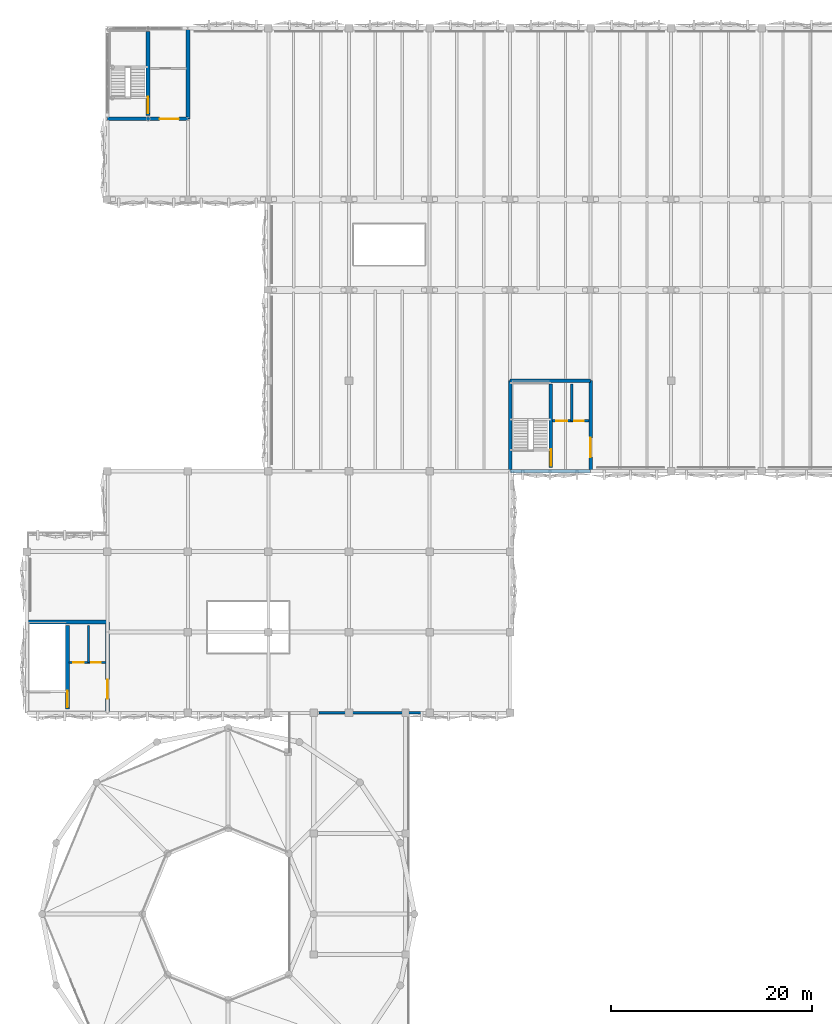
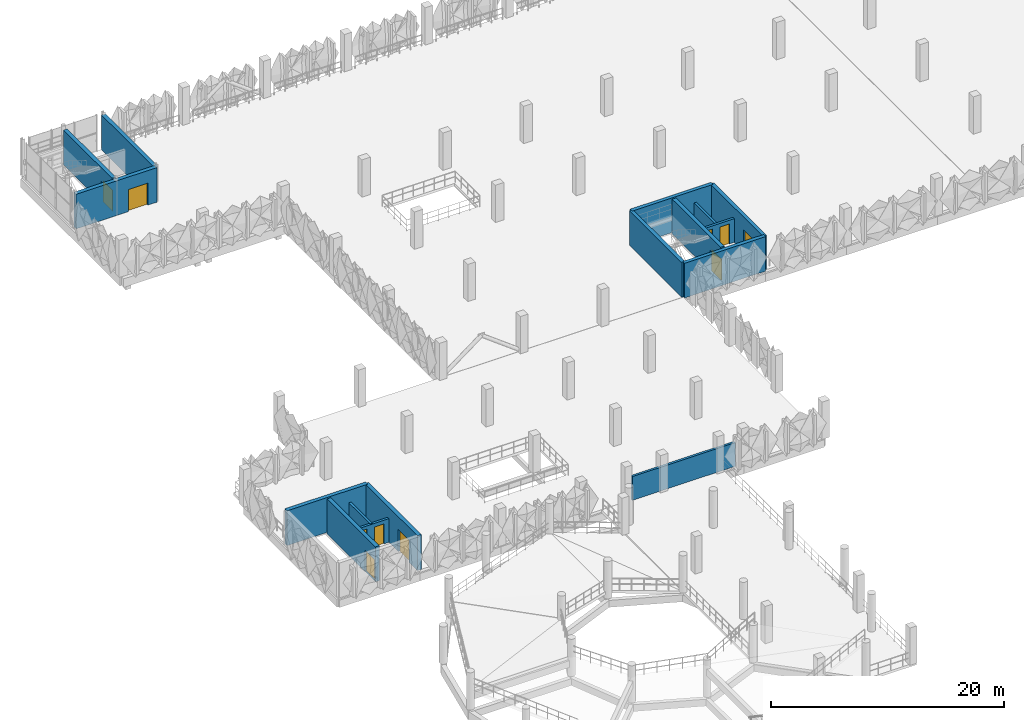
# One storey, part 40 of 83: 16 walls, 10 doors, 10 openings.
"""IFC4 building model written with IfcOpenShell, lengths in metres."""

import ifcopenshell
import ifcopenshell.guid

model = None  # the IFC model being written
_history = None  # IfcOwnerHistory: only IFC2X3 demands one
_inside = {}  # id of a spatial element -> (the spatial element, [elements in it])
_under = {}  # id of a project, library or spatial element -> (it, [spatial elements below it])
_declared = {}  # id of a project -> (the project, [libraries it declares])
_typed = {}  # id of a type object -> (the type object, [elements of that type])
_made_of = {}  # id of a material, layer set ... -> (it, [elements and type objects made of it])


def new_model(schema):
    """Start an empty IFC model of exactly this schema.

    Asked for "IFC4X3", IfcOpenShell would pick the latest addendum, in which some entities
    have other attributes; the version numbers below select the first issue.
    IFC2X3 requires an IfcOwnerHistory on every rooted entity: one is made here for all.
    """
    global model, _history
    if schema == "IFC4X3":
        model = ifcopenshell.file(schema_version=(4, 3, 0, 0))
    else:
        model = ifcopenshell.file(schema=schema)
    _inside.clear()
    _under.clear()
    _declared.clear()
    _typed.clear()
    _made_of.clear()
    _history = None
    if model.schema == "IFC2X3":
        org = make("IfcOrganization", Name="unknown")
        user = make(
            "IfcPersonAndOrganization",
            ThePerson=make("IfcPerson", FamilyName="unknown"),
            TheOrganization=org,
        )
        app = make(
            "IfcApplication",
            ApplicationDeveloper=org,
            Version="unknown",
            ApplicationFullName="unknown",
            ApplicationIdentifier="unknown",
        )
        _history = make(
            "IfcOwnerHistory",
            OwningUser=user,
            OwningApplication=app,
            ChangeAction="ADDED",
            CreationDate=0,
        )
    return model


def make(cls, **values):
    """One entity of the class cls with the attributes given. An attribute that is None is left unset."""
    return model.create_entity(
        cls, **{name: value for name, value in values.items() if value is not None}
    )


def rooted(cls, **values):
    """An entity with a GlobalId (a new one), such as an element, a storey or a relation."""
    return make(cls, GlobalId=ifcopenshell.guid.new(), OwnerHistory=_history, **values)


def si_unit(unit_type, name, prefix=None):
    """IfcSIUnit, for example si_unit("LENGTHUNIT", "METRE", prefix="MILLI")."""
    return make("IfcSIUnit", UnitType=unit_type, Prefix=prefix, Name=name)


def derived_unit(unit_type, elements):
    """IfcDerivedUnit: a product of units, each with its exponent."""
    return make(
        "IfcDerivedUnit",
        Elements=[
            make("IfcDerivedUnitElement", Unit=unit, Exponent=power)
            for unit, power in elements
        ],
        UnitType=unit_type,
    )


def assignment(units):
    """IfcUnitAssignment: the units of a project."""
    return None if units is None else make("IfcUnitAssignment", Units=units)


def point(xyz):
    """IfcCartesianPoint."""
    return None if xyz is None else make("IfcCartesianPoint", Coordinates=xyz)


def direction(xyz):
    """IfcDirection."""
    return None if xyz is None else make("IfcDirection", DirectionRatios=xyz)


def frame(location, z_axis=None, x_axis=None):
    """IfcAxis2Placement3D, a coordinate frame: its origin and axes. An axis left out is left unset."""
    return make(
        "IfcAxis2Placement3D",
        Location=point(location),
        Axis=direction(z_axis),
        RefDirection=direction(x_axis),
    )


def frame_2d(location, x_axis=None):
    """IfcAxis2Placement2D, a coordinate frame in the plane: its origin and x axis."""
    return make(
        "IfcAxis2Placement2D", Location=point(location), RefDirection=direction(x_axis)
    )


def origin():
    """The frame at (0, 0, 0) with its axes left unset."""
    return frame((0.0, 0.0, 0.0))


def place(relative_to, where):
    """IfcLocalPlacement: puts the frame where relative to a parent placement (None: the world)."""
    return make(
        "IfcLocalPlacement", PlacementRelTo=relative_to, RelativePlacement=where
    )


def context(
    kind, dimensions, precision=None, world=None, true_north=None, identifier=None
):
    """IfcGeometricRepresentationContext, for example the 3D "Model" context."""
    return make(
        "IfcGeometricRepresentationContext",
        ContextIdentifier=identifier,
        ContextType=kind,
        CoordinateSpaceDimension=dimensions,
        Precision=precision,
        WorldCoordinateSystem=world,
        TrueNorth=true_north,
    )


def subcontext(parent, identifier, kind, view, scale=None):
    """IfcGeometricRepresentationSubContext, for example "Body" below "Model"."""
    return make(
        "IfcGeometricRepresentationSubContext",
        ContextIdentifier=identifier,
        ContextType=kind,
        ParentContext=parent,
        TargetScale=scale,
        TargetView=view,
    )


def project(units=None, contexts=None):
    """IfcProject with its units and contexts."""
    return rooted(
        "IfcProject",
        Name="project",
        RepresentationContexts=contexts,
        UnitsInContext=assignment(units),
    )


def spatial(cls, under=None, at=None, **own):
    """A site, building, storey or space (cls), placed at a placement, below another one or the project."""
    s = rooted(cls, ObjectPlacement=at, **own)
    if under is not None:
        _under.setdefault(under.id(), (under, []))[1].append(s)
    return s


def profile(cls, at=None, kind="AREA", **sizes):
    """A parametric profile (cls). Its sizes go by their IFC names, for example OverallWidth=200.0."""
    return make(cls, ProfileType=kind, Position=at, **sizes)


def rectangle(**sizes):
    """IfcRectangleProfileDef."""
    return profile("IfcRectangleProfileDef", **sizes)


def extrude(swept, where, along, depth):
    """IfcExtrudedAreaSolid: the profile swept, set in the frame where, extruded along a direction by depth."""
    return make(
        "IfcExtrudedAreaSolid",
        SweptArea=swept,
        Position=where,
        ExtrudedDirection=direction(along),
        Depth=depth,
    )


def shape(context_of_items, identifier, shape_type, items):
    """IfcShapeRepresentation: the items that make up one representation, for example the "Body"."""
    return make(
        "IfcShapeRepresentation",
        ContextOfItems=context_of_items,
        RepresentationIdentifier=identifier,
        RepresentationType=shape_type,
        Items=items,
    )


def material(Name=None, Category=None):
    """IfcMaterial."""
    return make("IfcMaterial", Name=Name, Category=Category)


def layer(
    of_material, thickness, ventilated=None, Name=None, Category=None, Priority=None
):
    """IfcMaterialLayer: one layer of a wall or slab, of a material (None: an air gap)."""
    return make(
        "IfcMaterialLayer",
        Material=of_material,
        LayerThickness=thickness,
        IsVentilated=ventilated,
        Name=Name,
        Category=Category,
        Priority=Priority,
    )


def layer_set(layers, Name=None):
    """IfcMaterialLayerSet."""
    return make("IfcMaterialLayerSet", MaterialLayers=layers, LayerSetName=Name)


def made_of(thing, what):
    """Note that an element or type object is made of a material, layer set ...; save() writes the relation."""
    if what is not None:
        _made_of.setdefault(what.id(), (what, []))[1].append(thing)
    return thing


def type_object(cls, material=None, **own):
    """A type object (cls), such as IfcWallType, which elements share."""
    return made_of(rooted(cls, **own), material)


def element(
    cls,
    number,
    at=None,
    inside=None,
    cuts=None,
    type_object=None,
    material=None,
    context=None,
    identifier="Body",
    shape_type=None,
    held_by="IfcProductDefinitionShape",
    body=None,
    shapes=None,
    **own,
):
    """One element of the class cls, such as IfcWall. Its Tag is "e" and its number.

    at: its placement. inside: the storey or other place that contains it. cuts: it is an
    opening in that element (IfcRelVoidsElement). A single representation is given by context,
    identifier, shape_type and body (its items); several are given by shapes. held_by: the class
    of the entity that holds the representations. save() writes the other relations.
    """
    e = rooted(cls, Tag="e%d" % number, ObjectPlacement=at, **own)
    if body is not None:
        shapes = [shape(context, identifier, shape_type, body)]
    if shapes is not None:
        e.Representation = make(held_by, Representations=shapes)
    if inside is not None:
        _inside.setdefault(inside.id(), (inside, []))[1].append(e)
    if cuts is not None:
        rooted(
            "IfcRelVoidsElement", RelatingBuildingElement=cuts, RelatedOpeningElement=e
        )
    if type_object is not None:
        _typed.setdefault(type_object.id(), (type_object, []))[1].append(e)
    return made_of(e, material)


def fill(opening, filler):
    """IfcRelFillsElement: the door or window that sits in an opening."""
    return rooted(
        "IfcRelFillsElement",
        RelatingOpeningElement=opening,
        RelatedBuildingElement=filler,
    )


def aggregate(whole, parts):
    """IfcRelAggregates: a whole, such as a stair, and the parts it consists of."""
    return rooted("IfcRelAggregates", RelatingObject=whole, RelatedObjects=parts)


def save(model, path):
    """Write the relations noted so far, then the file.

    IfcRelAggregates (storeys below a building ...), IfcRelContainedInSpatialStructure (elements
    in a storey), IfcRelDefinesByType, IfcRelAssociatesMaterial and IfcRelDeclares: one each for
    every whole, place, type object, material and project.
    """
    for whole, parts in _under.values():
        aggregate(whole, parts)
    for where, things in _inside.values():
        rooted(
            "IfcRelContainedInSpatialStructure",
            RelatedElements=things,
            RelatingStructure=where,
        )
    for kind, things in _typed.values():
        rooted("IfcRelDefinesByType", RelatedObjects=things, RelatingType=kind)
    for what, things in _made_of.values():
        rooted("IfcRelAssociatesMaterial", RelatedObjects=things, RelatingMaterial=what)
    for by, libraries in _declared.values():
        rooted("IfcRelDeclares", RelatingContext=by, RelatedDefinitions=libraries)
    model.write(path)


model = new_model("IFC4")

# Units and contexts
model_context = context("Model", 3, precision=1e-05, world=origin(), true_north=direction((0.0, 1.0)))
body_context = subcontext(model_context, "Body", "Model", "MODEL_VIEW")
ifc_project = project(units=[si_unit("LENGTHUNIT", "METRE"), si_unit("AREAUNIT", "SQUARE_METRE"), si_unit("VOLUMEUNIT", "CUBIC_METRE"), si_unit("PLANEANGLEUNIT", "RADIAN"), si_unit("MASSUNIT", "GRAM", prefix="KILO"), si_unit("THERMODYNAMICTEMPERATUREUNIT", "KELVIN"), derived_unit("THERMALTRANSMITTANCEUNIT", [(si_unit("POWERUNIT", "WATT"), 1), (si_unit("AREAUNIT", "SQUARE_METRE"), -1), (si_unit("THERMODYNAMICTEMPERATUREUNIT", "KELVIN"), -1)])], contexts=[model_context])

# Site, building, storey
site_placement = place(None, origin())
site = spatial("IfcSite", under=ifc_project, at=site_placement, CompositionType="ELEMENT")
building_placement = place(site_placement, origin())
building = spatial("IfcBuilding", under=site, at=building_placement, Name="Haiyu Intermodal Mobility Hub", CompositionType="ELEMENT")
storey_placement = place(building_placement, frame((0.0, 0.0, 13.39990234375)))
storey = spatial("IfcBuildingStorey", under=building, at=storey_placement, Name="L03", CompositionType="ELEMENT", Elevation=13.39990234375)

# Wall
ifc_material_1 = material(Name="Autoclaved aerated concrete block A5.0", Category="concrete")
ifc_layer_1 = layer(ifc_material_1, 0.22998046875)
ifc_layer_set_1 = layer_set([ifc_layer_1], Name="Autoclaved aerated concrete block A5.0")
wall_type_1 = type_object("IfcWallType", Name="WAL-WI01", PredefinedType="PARTITIONING", material=ifc_layer_set_1)
wall_1_placement = place(storey_placement, frame((68.1298828125, 109.0, 0.0), z_axis=(0.0, 0.0, 1.0), x_axis=(0.0, 1.0, 0.0)))
element("IfcWall", 1, at=wall_1_placement, inside=storey, type_object=wall_type_1, Name="WAL-CORE-C5-LSH-L03", PredefinedType="PARTITIONING", context=body_context, shape_type="SweptSolid", body=[
    extrude(rectangle(XDim=3.64990234375, YDim=0.22998046875, at=frame_2d((1.824951171875, 0.0))), origin(), (0.0, 0.0, 1.0), 2.47998046875),
])

# Wall, openings, doors
wall_2_placement = place(storey_placement, frame((66.2099609375, 109.0, 0.0), z_axis=(0.0, 0.0, 1.0), x_axis=(1.0, 0.0, 0.0)))
wall_2 = element("IfcWall", 2, at=wall_2_placement, inside=storey, type_object=wall_type_1, Name="WAL-CORE-C5-LFT-L03", PredefinedType="PARTITIONING", context=body_context, shape_type="SweptSolid", body=[
    extrude(rectangle(XDim=3.630126953125, YDim=0.22998046875, at=frame_2d((1.81494140625, 0.0))), origin(), (0.0, 0.0, 1.0), 2.47998046875),
])
opening_1_placement = place(wall_2_placement, frame((0.3798828125, 0.0, 0.0)))
opening_1 = element("IfcOpeningElement", 3, at=opening_1_placement, cuts=wall_2, Name="Opening LD01", PredefinedType="OPENING", context=body_context, shape_type="SweptSolid", body=[
    extrude(rectangle(XDim=1.10009765625, YDim=2.14990234375, at=frame_2d((0.550048828125, 1.074951171875))), frame((0.0, 0.125, 0.0), z_axis=(0.0, -1.0, 0.0), x_axis=(1.0, 0.0, 0.0)), (0.0, 0.0, 1.0), 0.25),
])
opening_2_placement = place(wall_2_placement, frame((2.179931640625, 0.0, 0.0)))
opening_2 = element("IfcOpeningElement", 4, at=opening_2_placement, cuts=wall_2, Name="Opening DI07", PredefinedType="OPENING", context=body_context, shape_type="SweptSolid", body=[
    extrude(rectangle(XDim=0.949951171875, YDim=2.10009765625, at=frame_2d((0.47509765625, 1.050048828125))), frame((0.0, 0.125, 0.0), z_axis=(0.0, -1.0, 0.0), x_axis=(1.0, 0.0, 0.0)), (0.0, 0.0, 1.0), 0.25),
])
ifc_material_2 = material(Name="Steel Q355C", Category="steel")
door_type_1 = type_object("IfcDoorType", Name="DR-DI07", OperationType="NOTDEFINED", PredefinedType="DOOR", material=ifc_material_2)
door_1_placement = place(opening_2_placement, origin())
door_1 = element("IfcDoor", 5, at=door_1_placement, inside=storey, type_object=door_type_1, Name="Core C5 Accessible WC Door L03", OperationType="SINGLE_SWING_RIGHT", OverallHeight=2.10009765625, OverallWidth=0.949951171875, PredefinedType="DOOR", context=body_context, shape_type="SweptSolid", body=[
    extrude(rectangle(XDim=0.949951171875, YDim=2.10009765625, at=frame_2d((0.47509765625, 1.050048828125))), frame((0.0, 0.02490234375, 0.0), z_axis=(0.0, -1.0, 0.0), x_axis=(1.0, 0.0, 0.0)), (0.0, 0.0, 1.0), 0.050048828125),
])
fill(opening_2, door_1)
door_type_2 = type_object("IfcDoorType", Name="DR-LD01", OperationType="DOUBLE_DOOR_SLIDING", PredefinedType="DOOR", material=ifc_material_2)
door_2_placement = place(opening_1_placement, origin())
door_2 = element("IfcDoor", 6, at=door_2_placement, inside=storey, type_object=door_type_2, Name="Lift FL-02 Sliding Landing Door L03", OperationType="SLIDING_TO_LEFT", OverallHeight=2.14990234375, OverallWidth=1.10009765625, PredefinedType="DOOR", context=body_context, shape_type="SweptSolid", body=[
    extrude(rectangle(XDim=1.10009765625, YDim=2.14990234375, at=frame_2d((0.550048828125, 1.074951171875))), frame((0.0, 0.02490234375, 0.0), z_axis=(0.0, -1.0, 0.0), x_axis=(1.0, 0.0, 0.0)), (0.0, 0.0, 1.0), 0.050048828125),
])
fill(opening_1, door_2)

# Wall
wall_3_placement = place(storey_placement, frame((20.1298828125, 85.0, 0.0), z_axis=(0.0, 0.0, 1.0), x_axis=(0.0, 1.0, 0.0)))
element("IfcWall", 7, at=wall_3_placement, inside=storey, type_object=wall_type_1, Name="WAL-CORE-C7-LSH-L03", PredefinedType="PARTITIONING", context=body_context, shape_type="SweptSolid", body=[
    extrude(rectangle(XDim=3.64990234375, YDim=0.22998046875, at=frame_2d((1.824951171875, 0.0))), origin(), (0.0, 0.0, 1.0), 2.47998046875),
])

# Wall, openings, doors
wall_4_placement = place(storey_placement, frame((18.2099609375, 85.0, 0.0), z_axis=(0.0, 0.0, 1.0), x_axis=(1.0, 0.0, 0.0)))
wall_4 = element("IfcWall", 8, at=wall_4_placement, inside=storey, type_object=wall_type_1, Name="WAL-CORE-C7-LFT-L03", PredefinedType="PARTITIONING", context=body_context, shape_type="SweptSolid", body=[
    extrude(rectangle(XDim=3.630126953125, YDim=0.22998046875, at=frame_2d((1.81494140625, 0.0))), origin(), (0.0, 0.0, 1.0), 2.47998046875),
])
opening_3_placement = place(wall_4_placement, frame((0.3798828125, 0.0, 0.0)))
opening_3 = element("IfcOpeningElement", 9, at=opening_3_placement, cuts=wall_4, Name="Opening LD02", PredefinedType="OPENING", context=body_context, shape_type="SweptSolid", body=[
    extrude(rectangle(XDim=1.050048828125, YDim=2.14990234375, at=frame_2d((0.52490234375, 1.074951171875))), frame((0.0, 0.125, 0.0), z_axis=(0.0, -1.0, 0.0), x_axis=(1.0, 0.0, 0.0)), (0.0, 0.0, 1.0), 0.25),
])
opening_4_placement = place(wall_4_placement, frame((2.179931640625, 0.0, 0.0)))
opening_4 = element("IfcOpeningElement", 10, at=opening_4_placement, cuts=wall_4, Name="Opening DI07", PredefinedType="OPENING", context=body_context, shape_type="SweptSolid", body=[
    extrude(rectangle(XDim=0.949951171875, YDim=2.10009765625, at=frame_2d((0.47509765625, 1.050048828125))), frame((0.0, 0.125, 0.0), z_axis=(0.0, -1.0, 0.0), x_axis=(1.0, 0.0, 0.0)), (0.0, 0.0, 1.0), 0.25),
])
door_3_placement = place(opening_4_placement, origin())
door_3 = element("IfcDoor", 11, at=door_3_placement, inside=storey, type_object=door_type_1, Name="Core C7 Accessible WC Door L03", OperationType="SINGLE_SWING_RIGHT", OverallHeight=2.10009765625, OverallWidth=0.949951171875, PredefinedType="DOOR", context=body_context, shape_type="SweptSolid", body=[
    extrude(rectangle(XDim=0.949951171875, YDim=2.10009765625, at=frame_2d((0.47509765625, 1.050048828125))), frame((0.0, 0.02490234375, 0.0), z_axis=(0.0, -1.0, 0.0), x_axis=(1.0, 0.0, 0.0)), (0.0, 0.0, 1.0), 0.050048828125),
])
fill(opening_4, door_3)
door_type_3 = type_object("IfcDoorType", Name="DR-LD02", OperationType="DOUBLE_DOOR_SLIDING", PredefinedType="DOOR", material=ifc_material_2)
door_4_placement = place(opening_3_placement, origin())
door_4 = element("IfcDoor", 12, at=door_4_placement, inside=storey, type_object=door_type_3, Name="Lift PL-02 Sliding Landing Door L03", OperationType="SLIDING_TO_LEFT", OverallHeight=2.14990234375, OverallWidth=1.050048828125, PredefinedType="DOOR", context=body_context, shape_type="SweptSolid", body=[
    extrude(rectangle(XDim=1.050048828125, YDim=2.14990234375, at=frame_2d((0.52490234375, 1.074951171875))), frame((0.0, 0.02490234375, 0.0), z_axis=(0.0, -1.0, 0.0), x_axis=(1.0, 0.0, 0.0)), (0.0, 0.0, 1.0), 0.050048828125),
])
fill(opening_3, door_4)

# Walls
wall_5_placement = place(storey_placement, frame((43.0, 80.0, 0.0), z_axis=(0.0, 0.0, 1.0), x_axis=(1.0, 0.0, 0.0)))
element("IfcWall", 13, at=wall_5_placement, inside=storey, type_object=wall_type_1, Name="WAL-INT-0020", PredefinedType="PARTITIONING", context=body_context, shape_type="SweptSolid", body=[
    extrude(rectangle(XDim=10.199951171875, YDim=0.22998046875, at=frame_2d((5.10009765625, 0.0))), origin(), (0.0, 0.0, 1.0), 2.47998046875),
])
ifc_material_3 = material(Name="Concrete C40", Category="concrete")
ifc_layer_2 = layer(ifc_material_3, 0.35009765625)
ifc_layer_set_2 = layer_set([ifc_layer_2], Name="Concrete C40")
wall_type_2 = type_object("IfcWallType", Name="WAL-WS02", PredefinedType="SHEAR", material=ifc_layer_set_2)
wall_6_placement = place(storey_placement, frame((62.0, 104.0, 0.0), z_axis=(0.0, 0.0, 1.0), x_axis=(1.0, 0.0, 0.0)))
element("IfcWall", 14, at=wall_6_placement, inside=storey, type_object=wall_type_2, Name="WAL-CORE-C5-S-L03", PredefinedType="SHEAR", context=body_context, shape_type="SweptSolid", body=[
    extrude(rectangle(XDim=8.0, YDim=0.35009765625, at=frame_2d((4.0, 0.0))), origin(), (0.0, 0.0, 1.0), 3.6201171875),
])

# Wall, opening, door
wall_7_placement = place(storey_placement, frame((70.0, 104.0, 0.0), z_axis=(0.0, 0.0, 1.0), x_axis=(0.0, 1.0, 0.0)))
wall_7 = element("IfcWall", 15, at=wall_7_placement, inside=storey, type_object=wall_type_2, Name="WAL-CORE-C5-E-L03", PredefinedType="SHEAR", context=body_context, shape_type="SweptSolid", body=[
    extrude(rectangle(XDim=9.0, YDim=0.35009765625, at=frame_2d((4.5, 0.0))), origin(), (0.0, 0.0, 1.0), 3.6201171875),
])
opening_5_placement = place(wall_7_placement, frame((1.39990234375, 0.0, 0.0)))
opening_5 = element("IfcOpeningElement", 16, at=opening_5_placement, cuts=wall_7, Name="Opening DI01", PredefinedType="OPENING", context=body_context, shape_type="SweptSolid", body=[
    extrude(rectangle(XDim=1.89990234375, YDim=2.300048828125, at=frame_2d((0.949951171875, 1.14990234375))), frame((0.0, 0.18505859375, 0.0), z_axis=(0.0, -1.0, 0.0), x_axis=(1.0, 0.0, 0.0)), (0.0, 0.0, 1.0), 0.3701171875),
])
door_type_4 = type_object("IfcDoorType", Name="DR-DI01", OperationType="DOUBLE_DOOR_SINGLE_SWING", PredefinedType="DOOR", material=ifc_material_2)
door_5_placement = place(opening_5_placement, origin())
door_5 = element("IfcDoor", 17, at=door_5_placement, inside=storey, type_object=door_type_4, Name="Core C5 Lobby Fire Door L03", OperationType="SINGLE_SWING_RIGHT", OverallHeight=2.300048828125, OverallWidth=1.89990234375, PredefinedType="DOOR", context=body_context, shape_type="SweptSolid", body=[
    extrude(rectangle(XDim=1.89990234375, YDim=2.300048828125, at=frame_2d((0.949951171875, 1.14990234375))), frame((0.0, 0.02490234375, 0.0), z_axis=(0.0, -1.0, 0.0), x_axis=(1.0, 0.0, 0.0)), (0.0, 0.0, 1.0), 0.050048828125),
])
fill(opening_5, door_5)

# Walls
wall_8_placement = place(storey_placement, frame((70.0, 113.0, 0.0), z_axis=(0.0, 0.0, 1.0), x_axis=(-1.0, 0.0, 0.0)))
element("IfcWall", 18, at=wall_8_placement, inside=storey, type_object=wall_type_2, Name="WAL-CORE-C5-N-L03", PredefinedType="SHEAR", context=body_context, shape_type="SweptSolid", body=[
    extrude(rectangle(XDim=8.0, YDim=0.35009765625, at=frame_2d((4.0, 0.0))), origin(), (0.0, 0.0, 1.0), 3.6201171875),
])
wall_9_placement = place(storey_placement, frame((62.0, 113.0, 0.0), z_axis=(0.0, 0.0, 1.0), x_axis=(0.0, -1.0, 0.0)))
element("IfcWall", 19, at=wall_9_placement, inside=storey, type_object=wall_type_2, Name="WAL-CORE-C5-W-L03", PredefinedType="SHEAR", context=body_context, shape_type="SweptSolid", body=[
    extrude(rectangle(XDim=9.0, YDim=0.35009765625, at=frame_2d((4.5, 0.0))), origin(), (0.0, 0.0, 1.0), 3.6201171875),
])

# Wall, opening, door
ifc_layer_3 = layer(ifc_material_3, 0.3798828125)
ifc_layer_set_3 = layer_set([ifc_layer_3], Name="Concrete C40")
wall_type_3 = type_object("IfcWallType", Name="WAL-WS03", PredefinedType="SHEAR", material=ifc_layer_set_3)
wall_10_placement = place(storey_placement, frame((22.0, 139.0, 0.0), z_axis=(0.0, 0.0, 1.0), x_axis=(1.0, 0.0, 0.0)))
wall_10 = element("IfcWall", 20, at=wall_10_placement, inside=storey, type_object=wall_type_3, Name="WAL-CORE-C3-S-L03", PredefinedType="SHEAR", context=body_context, shape_type="SweptSolid", body=[
    extrude(rectangle(XDim=8.0, YDim=0.3798828125, at=frame_2d((4.0, 0.0))), origin(), (0.0, 0.0, 1.0), 3.6201171875),
])
opening_6_placement = place(wall_10_placement, frame((5.199951171875, 0.0, 0.0)))
opening_6 = element("IfcOpeningElement", 21, at=opening_6_placement, cuts=wall_10, Name="Opening DI01", PredefinedType="OPENING", context=body_context, shape_type="SweptSolid", body=[
    extrude(rectangle(XDim=1.89990234375, YDim=2.300048828125, at=frame_2d((0.949951171875, 1.14990234375))), frame((0.0, 0.199951171875, 0.0), z_axis=(0.0, -1.0, 0.0), x_axis=(1.0, 0.0, 0.0)), (0.0, 0.0, 1.0), 0.39990234375),
])
door_6_placement = place(opening_6_placement, origin())
door_6 = element("IfcDoor", 22, at=door_6_placement, inside=storey, type_object=door_type_4, Name="Core C3 Lobby Fire Door L03", OperationType="SINGLE_SWING_RIGHT", OverallHeight=2.300048828125, OverallWidth=1.89990234375, PredefinedType="DOOR", context=body_context, shape_type="SweptSolid", body=[
    extrude(rectangle(XDim=1.89990234375, YDim=2.300048828125, at=frame_2d((0.949951171875, 1.14990234375))), frame((0.0, 0.02490234375, 0.0), z_axis=(0.0, -1.0, 0.0), x_axis=(1.0, 0.0, 0.0)), (0.0, 0.0, 1.0), 0.050048828125),
])
fill(opening_6, door_6)

# Wall
wall_11_placement = place(storey_placement, frame((30.0, 139.0, 0.0), z_axis=(0.0, 0.0, 1.0), x_axis=(0.0, 1.0, 0.0)))
element("IfcWall", 23, at=wall_11_placement, inside=storey, type_object=wall_type_3, Name="WAL-CORE-C3-E-L03", PredefinedType="SHEAR", context=body_context, shape_type="SweptSolid", body=[
    extrude(rectangle(XDim=9.0, YDim=0.3798828125, at=frame_2d((4.5, 0.0))), origin(), (0.0, 0.0, 1.0), 3.6201171875),
])

# Wall, opening, door
wall_12_placement = place(storey_placement, frame((26.050048828125, 139.35009765625, 0.0), z_axis=(0.0, 0.0, 1.0), x_axis=(0.0, 1.0, 0.0)))
wall_12 = element("IfcWall", 24, at=wall_12_placement, inside=storey, type_object=wall_type_3, Name="WAL-CORE-C3-MID-L03", PredefinedType="SHEAR", context=body_context, shape_type="SweptSolid", body=[
    extrude(rectangle(XDim=8.2998046875, YDim=0.3798828125, at=frame_2d((4.14990234375, 0.0))), origin(), (0.0, 0.0, 1.0), 3.6201171875),
])
opening_7_placement = place(wall_12_placement, frame((0.179931640625, 0.0, 0.0)))
opening_7 = element("IfcOpeningElement", 25, at=opening_7_placement, cuts=wall_12, Name="Opening DI02", PredefinedType="OPENING", context=body_context, shape_type="SweptSolid", body=[
    extrude(rectangle(XDim=1.64990234375, YDim=2.199951171875, at=frame_2d((0.824951171875, 1.10009765625))), frame((0.0, 0.199951171875, 0.0), z_axis=(0.0, -1.0, 0.0), x_axis=(1.0, 0.0, 0.0)), (0.0, 0.0, 1.0), 0.39990234375),
])
door_type_5 = type_object("IfcDoorType", Name="DR-DI02", OperationType="DOUBLE_DOOR_SINGLE_SWING", PredefinedType="DOOR", material=ifc_material_2)
door_7_placement = place(opening_7_placement, origin())
door_7 = element("IfcDoor", 26, at=door_7_placement, inside=storey, type_object=door_type_5, Name="Stair ST02 Fire Door L03", OperationType="SINGLE_SWING_RIGHT", OverallHeight=2.199951171875, OverallWidth=1.64990234375, PredefinedType="DOOR", context=body_context, shape_type="SweptSolid", body=[
    extrude(rectangle(XDim=1.64990234375, YDim=2.199951171875, at=frame_2d((0.824951171875, 1.10009765625))), frame((0.0, 0.02490234375, 0.0), z_axis=(0.0, -1.0, 0.0), x_axis=(1.0, 0.0, 0.0)), (0.0, 0.0, 1.0), 0.050048828125),
])
fill(opening_7, door_7)

wall_13_placement = place(storey_placement, frame((66.050048828125, 104.35009765625, 0.0), z_axis=(0.0, 0.0, 1.0), x_axis=(0.0, 1.0, 0.0)))
wall_13 = element("IfcWall", 27, at=wall_13_placement, inside=storey, type_object=wall_type_3, Name="WAL-CORE-C5-MID-L03", PredefinedType="SHEAR", context=body_context, shape_type="SweptSolid", body=[
    extrude(rectangle(XDim=8.2998046875, YDim=0.3798828125, at=frame_2d((4.14990234375, 0.0))), origin(), (0.0, 0.0, 1.0), 3.6201171875),
])
opening_8_placement = place(wall_13_placement, frame((0.179931640625, 0.0, 0.0)))
opening_8 = element("IfcOpeningElement", 28, at=opening_8_placement, cuts=wall_13, Name="Opening DI02", PredefinedType="OPENING", context=body_context, shape_type="SweptSolid", body=[
    extrude(rectangle(XDim=1.64990234375, YDim=2.199951171875, at=frame_2d((0.824951171875, 1.10009765625))), frame((0.0, 0.199951171875, 0.0), z_axis=(0.0, -1.0, 0.0), x_axis=(1.0, 0.0, 0.0)), (0.0, 0.0, 1.0), 0.39990234375),
])
door_8_placement = place(opening_8_placement, origin())
door_8 = element("IfcDoor", 29, at=door_8_placement, inside=storey, type_object=door_type_5, Name="Stair ST01 Fire Door L03", OperationType="SINGLE_SWING_RIGHT", OverallHeight=2.199951171875, OverallWidth=1.64990234375, PredefinedType="DOOR", context=body_context, shape_type="SweptSolid", body=[
    extrude(rectangle(XDim=1.64990234375, YDim=2.199951171875, at=frame_2d((0.824951171875, 1.10009765625))), frame((0.0, 0.02490234375, 0.0), z_axis=(0.0, -1.0, 0.0), x_axis=(1.0, 0.0, 0.0)), (0.0, 0.0, 1.0), 0.050048828125),
])
fill(opening_8, door_8)

wall_14_placement = place(storey_placement, frame((22.0, 80.0, 0.0), z_axis=(0.0, 0.0, 1.0), x_axis=(0.0, 1.0, 0.0)))
wall_14 = element("IfcWall", 30, at=wall_14_placement, inside=storey, type_object=wall_type_3, Name="WAL-CORE-C7-E-L03", PredefinedType="SHEAR", context=body_context, shape_type="SweptSolid", body=[
    extrude(rectangle(XDim=9.0, YDim=0.3798828125, at=frame_2d((4.5, 0.0))), origin(), (0.0, 0.0, 1.0), 3.64501953125),
])
opening_9_placement = place(wall_14_placement, frame((1.39990234375, 0.0, 0.0)))
opening_9 = element("IfcOpeningElement", 31, at=opening_9_placement, cuts=wall_14, Name="Opening DI01", PredefinedType="OPENING", context=body_context, shape_type="SweptSolid", body=[
    extrude(rectangle(XDim=1.89990234375, YDim=2.300048828125, at=frame_2d((0.949951171875, 1.14990234375))), frame((0.0, 0.199951171875, 0.0), z_axis=(0.0, -1.0, 0.0), x_axis=(1.0, 0.0, 0.0)), (0.0, 0.0, 1.0), 0.39990234375),
])
door_9_placement = place(opening_9_placement, origin())
door_9 = element("IfcDoor", 32, at=door_9_placement, inside=storey, type_object=door_type_4, Name="Core C7 Lobby Fire Door L03", OperationType="SINGLE_SWING_RIGHT", OverallHeight=2.300048828125, OverallWidth=1.89990234375, PredefinedType="DOOR", context=body_context, shape_type="SweptSolid", body=[
    extrude(rectangle(XDim=1.89990234375, YDim=2.300048828125, at=frame_2d((0.949951171875, 1.14990234375))), frame((0.0, 0.02490234375, 0.0), z_axis=(0.0, -1.0, 0.0), x_axis=(1.0, 0.0, 0.0)), (0.0, 0.0, 1.0), 0.050048828125),
])
fill(opening_9, door_9)

# Wall
wall_15_placement = place(storey_placement, frame((22.0, 89.0, 0.0), z_axis=(0.0, 0.0, 1.0), x_axis=(-1.0, 0.0, 0.0)))
element("IfcWall", 33, at=wall_15_placement, inside=storey, type_object=wall_type_3, Name="WAL-CORE-C7-N-L03", PredefinedType="SHEAR", context=body_context, shape_type="SweptSolid", body=[
    extrude(rectangle(XDim=8.0, YDim=0.3798828125, at=frame_2d((4.0, 0.0))), origin(), (0.0, 0.0, 1.0), 3.64501953125),
])

# Wall, opening, door
wall_16_placement = place(storey_placement, frame((18.050048828125, 80.35009765625, 0.0), z_axis=(0.0, 0.0, 1.0), x_axis=(0.0, 1.0, 0.0)))
wall_16 = element("IfcWall", 34, at=wall_16_placement, inside=storey, type_object=wall_type_3, Name="WAL-CORE-C7-MID-L03", PredefinedType="SHEAR", context=body_context, shape_type="SweptSolid", body=[
    extrude(rectangle(XDim=8.2998046875, YDim=0.3798828125, at=frame_2d((4.14990234375, 0.0))), origin(), (0.0, 0.0, 1.0), 3.64501953125),
])
opening_10_placement = place(wall_16_placement, frame((0.179931640625, 0.0, 0.0)))
opening_10 = element("IfcOpeningElement", 35, at=opening_10_placement, cuts=wall_16, Name="Opening DI02", PredefinedType="OPENING", context=body_context, shape_type="SweptSolid", body=[
    extrude(rectangle(XDim=1.64990234375, YDim=2.199951171875, at=frame_2d((0.824951171875, 1.10009765625))), frame((0.0, 0.199951171875, 0.0), z_axis=(0.0, -1.0, 0.0), x_axis=(1.0, 0.0, 0.0)), (0.0, 0.0, 1.0), 0.39990234375),
])
door_10_placement = place(opening_10_placement, origin())
door_10 = element("IfcDoor", 36, at=door_10_placement, inside=storey, type_object=door_type_5, Name="Stair ST02 Fire Door L03", OperationType="SINGLE_SWING_RIGHT", OverallHeight=2.199951171875, OverallWidth=1.64990234375, PredefinedType="DOOR", context=body_context, shape_type="SweptSolid", body=[
    extrude(rectangle(XDim=1.64990234375, YDim=2.199951171875, at=frame_2d((0.824951171875, 1.10009765625))), frame((0.0, 0.02490234375, 0.0), z_axis=(0.0, -1.0, 0.0), x_axis=(1.0, 0.0, 0.0)), (0.0, 0.0, 1.0), 0.050048828125),
])
fill(opening_10, door_10)

save(model, "model.ifc")
